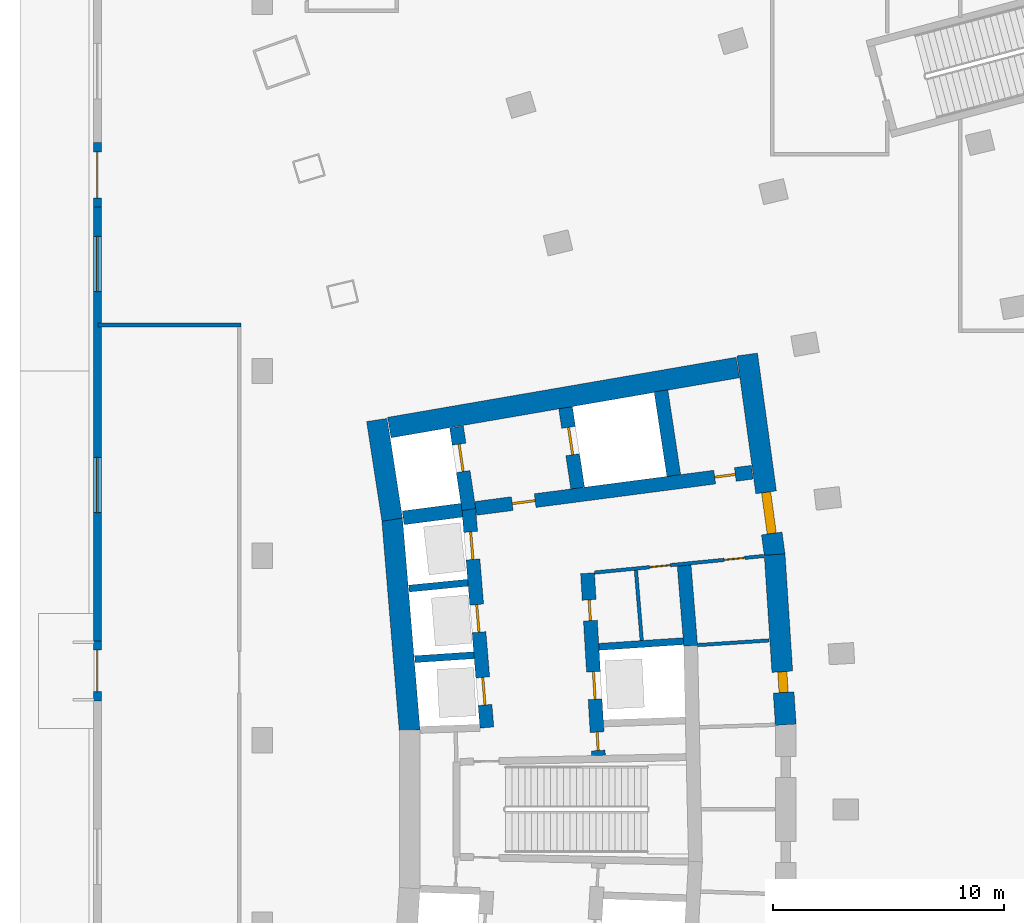
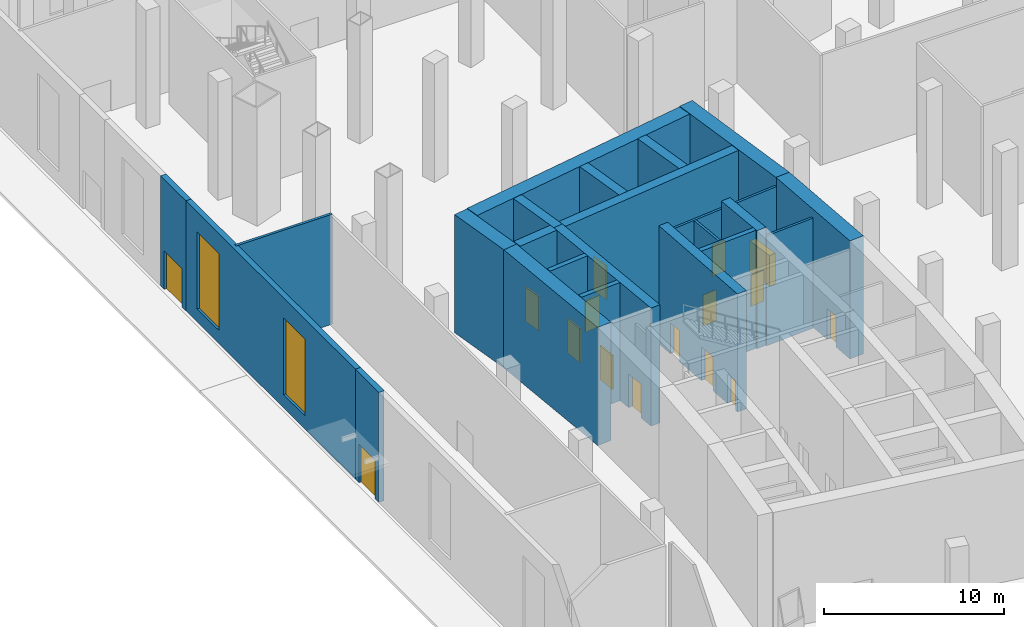
# One storey, part 17 of 33: 23 walls, 16 doors, 2 windows, 18 openings.
"""IFC4 building model written with IfcOpenShell, lengths in metres."""

from ifc_helpers import new_model, si_unit, direction, frame, frame_2d, origin, place, context, subcontext, project, spatial, rectangle, extrude, material, layer, layer_set, type_object, element, fill, save


model = new_model("IFC4")

# Units and contexts
model_context = context("Model", 3, precision=1e-05, world=origin(), true_north=direction((0.0, 1.0)))
body_context = subcontext(model_context, "Body", "Model", "MODEL_VIEW")
ifc_project = project(units=[si_unit("LENGTHUNIT", "METRE"), si_unit("AREAUNIT", "SQUARE_METRE"), si_unit("VOLUMEUNIT", "CUBIC_METRE"), si_unit("PLANEANGLEUNIT", "RADIAN"), si_unit("MASSUNIT", "GRAM", prefix="KILO")], contexts=[model_context])

# Site, building, storey
site_placement = place(None, origin())
site = spatial("IfcSite", under=ifc_project, at=site_placement, CompositionType="ELEMENT")
building_placement = place(site_placement, origin())
building = spatial("IfcBuilding", under=site, at=building_placement, Name="Alderwake Tower", CompositionType="ELEMENT")
storey_placement = place(building_placement, origin())
storey = spatial("IfcBuildingStorey", under=building, at=storey_placement, Name="L00", CompositionType="ELEMENT", Elevation=0.0)

# Walls
ifc_material_1 = material(Name="Gypsum shaft wall system, rated")
ifc_layer_1 = layer(ifc_material_1, 0.14990234375)
ifc_layer_set_1 = layer_set([ifc_layer_1], Name="Core room partition 150")
wall_type_1 = type_object("IfcWallType", Name="Core room partition 150", PredefinedType="PARTITIONING", material=ifc_layer_set_1)
wall_1_placement = place(storey_placement, frame((26.94970703125, 68.3203125, 0.0), z_axis=(0.0, 0.0, 1.0), x_axis=(-0.082463525817, 0.996594083321, 0.0)))
element("IfcWall", 1, at=wall_1_placement, inside=storey, type_object=wall_type_1, Name="CW/L00/PA+107_+70", PredefinedType="PARTITIONING", context=body_context, shape_type="SweptSolid", body=[
    extrude(rectangle(XDim=3.055419921875, YDim=0.14990234375, at=frame_2d((1.52783203125, 0.0))), origin(), (0.0, 0.0, 1.0), 7.449951171875),
])
wall_2_placement = place(storey_placement, frame((29.36865234375, 68.1220703125, 0.0), z_axis=(0.0, 0.0, 1.0), x_axis=(0.997885090452, 0.065002663433, 0.0)))
element("IfcWall", 2, at=wall_2_placement, inside=storey, type_object=wall_type_1, Name="CW/L00/PR+68_+128", PredefinedType="PARTITIONING", context=body_context, shape_type="SweptSolid", body=[
    extrude(rectangle(XDim=3.10986328125, YDim=0.14990234375, at=frame_2d((1.554931640625, 0.0))), origin(), (0.0, 0.0, 1.0), 7.449951171875),
])

# Wall, openings, doors
wall_3_placement = place(storey_placement, frame((32.233642578125, 71.982177734375, 0.0), z_axis=(0.0, 0.0, 1.0), x_axis=(-0.995245540971, -0.097397706226, 0.0)))
wall_3 = element("IfcWall", 3, at=wall_3_placement, inside=storey, type_object=wall_type_1, Name="CW/L00/PR+102_+86", PredefinedType="PARTITIONING", context=body_context, shape_type="SweptSolid", body=[
    extrude(rectangle(XDim=7.36962890625, YDim=0.14990234375, at=frame_2d((3.684814453125, 0.0))), origin(), (0.0, 0.0, 1.0), 7.449951171875),
])
opening_1_placement = place(wall_3_placement, frame((4.069580078125, 0.0, 0.0)))
opening_1 = element("IfcOpeningElement", 4, at=opening_1_placement, cuts=wall_3, Name="Opening C022", PredefinedType="OPENING", context=body_context, shape_type="SweptSolid", body=[
    extrude(rectangle(XDim=0.89990234375, YDim=2.10009765625, at=frame_2d((0.449951171875, 1.050048828125))), frame((0.0, 0.0849609375, 0.0), z_axis=(0.0, -1.0, 0.0), x_axis=(1.0, 0.0, 0.0)), (0.0, 0.0, 1.0), 0.169921875),
])
opening_2_placement = place(wall_3_placement, frame((0.819580078125, 0.0, 0.0)))
opening_2 = element("IfcOpeningElement", 5, at=opening_2_placement, cuts=wall_3, Name="Opening C036", PredefinedType="OPENING", context=body_context, shape_type="SweptSolid", body=[
    extrude(rectangle(XDim=0.89990234375, YDim=2.10009765625, at=frame_2d((0.449951171875, 1.050048828125))), frame((0.0, 0.0849609375, 0.0), z_axis=(0.0, -1.0, 0.0), x_axis=(1.0, 0.0, 0.0)), (0.0, 0.0, 1.0), 0.169921875),
])
ifc_material_2 = material(Name="Painted steel leaf", Category="steel")
door_type_1 = type_object("IfcDoorType", Name="Core room door 900", OperationType="SINGLE_SWING_LEFT", PredefinedType="DOOR", material=ifc_material_2)
door_1_placement = place(opening_1_placement, origin())
door_1 = element("IfcDoor", 6, at=door_1_placement, inside=storey, type_object=door_type_1, Name="Room door", OperationType="SINGLE_SWING_RIGHT", OverallHeight=2.10009765625, OverallWidth=0.89990234375, PredefinedType="DOOR", context=body_context, shape_type="SweptSolid", body=[
    extrude(rectangle(XDim=0.89990234375, YDim=2.10009765625, at=frame_2d((0.449951171875, 1.050048828125))), frame((0.0, 0.02490234375, 0.0), z_axis=(0.0, -1.0, 0.0), x_axis=(1.0, 0.0, 0.0)), (0.0, 0.0, 1.0), 0.050048828125),
])
fill(opening_1, door_1)
door_2_placement = place(opening_2_placement, origin())
door_2 = element("IfcDoor", 7, at=door_2_placement, inside=storey, type_object=door_type_1, Name="Room door", OperationType="SINGLE_SWING_LEFT", OverallHeight=2.10009765625, OverallWidth=0.89990234375, PredefinedType="DOOR", context=body_context, shape_type="SweptSolid", body=[
    extrude(rectangle(XDim=0.89990234375, YDim=2.10009765625, at=frame_2d((0.449951171875, 1.050048828125))), frame((0.0, 0.02490234375, 0.0), z_axis=(0.0, -1.0, 0.0), x_axis=(1.0, 0.0, 0.0)), (0.0, 0.0, 1.0), 0.050048828125),
])
fill(opening_2, door_2)

# Walls
ifc_material_3 = material(Name="Concrete C70/85", Category="concrete")
ifc_layer_2 = layer(ifc_material_3, 0.89990234375)
ifc_layer_set_2 = layer_set([ifc_layer_2], Name="Core wall outer 900 C70-85")
wall_type_2 = type_object("IfcWallType", Name="Core wall outer 900 C70-85", PredefinedType="SHEAR", material=ifc_layer_set_2)
wall_4_placement = place(storey_placement, frame((16.890869140625, 64.41064453125, 0.0), z_axis=(0.0, 0.0, 1.0), x_axis=(-0.082624275373, 0.996580768989, 0.0)))
element("IfcWall", 8, at=wall_4_placement, inside=storey, type_object=wall_type_2, Name="Core wall CW.040", PredefinedType="SHEAR", context=body_context, shape_type="SweptSolid", body=[
    extrude(rectangle(XDim=9.210205078125, YDim=0.89990234375, at=frame_2d((4.60498046875, 0.0))), origin(), (0.0, 0.0, 1.0), 8.0),
])
wall_5_placement = place(storey_placement, frame((16.1337890625, 73.557373046875, 0.0), z_axis=(0.0, 0.0, 1.0), x_axis=(-0.151956504286, 0.988387181627, 0.0)))
element("IfcWall", 9, at=wall_5_placement, inside=storey, type_object=wall_type_2, Name="Core wall CW.039", PredefinedType="SHEAR", context=body_context, shape_type="SweptSolid", body=[
    extrude(rectangle(XDim=4.373291015625, YDim=0.89990234375, at=frame_2d((2.1865234375, 0.0))), origin(), (0.0, 0.0, 1.0), 8.0),
])

# Wall, opening, door
wall_6_placement = place(storey_placement, frame((32.710693359375, 72.04541015625, 0.0), z_axis=(0.0, 0.0, 1.0), x_axis=(0.064976219143, -0.997886812693, 0.0)))
wall_6 = element("IfcWall", 10, at=wall_6_placement, inside=storey, type_object=wall_type_2, Name="Core wall CW.010", PredefinedType="SHEAR", context=body_context, shape_type="SweptSolid", body=[
    extrude(rectangle(XDim=7.39453125, YDim=0.89990234375, at=frame_2d((3.697265625, 0.0))), origin(), (0.0, 0.0, 1.0), 8.0),
])
opening_3_placement = place(wall_6_placement, frame((5.089111328125, 0.0, 0.0)))
opening_3 = element("IfcOpeningElement", 11, at=opening_3_placement, cuts=wall_6, Name="Opening C035", PredefinedType="OPENING", context=body_context, shape_type="SweptSolid", body=[
    extrude(rectangle(XDim=0.89990234375, YDim=2.10009765625, at=frame_2d((0.449951171875, 1.050048828125))), frame((0.0, 0.4599609375, 0.0), z_axis=(0.0, -1.0, 0.0), x_axis=(1.0, 0.0, 0.0)), (0.0, 0.0, 1.0), 0.919921875),
])
door_3_placement = place(opening_3_placement, origin())
door_3 = element("IfcDoor", 12, at=door_3_placement, inside=storey, type_object=door_type_1, Name="Room door", OperationType="SINGLE_SWING_RIGHT", OverallHeight=2.10009765625, OverallWidth=0.89990234375, PredefinedType="DOOR", context=body_context, shape_type="SweptSolid", body=[
    extrude(rectangle(XDim=0.89990234375, YDim=2.10009765625, at=frame_2d((0.449951171875, 1.050048828125))), frame((0.0, 0.199951171875, 0.0), z_axis=(0.0, -1.0, 0.0), x_axis=(1.0, 0.0, 0.0)), (0.0, 0.0, 1.0), 0.39990234375),
])
fill(opening_3, door_3)

wall_7_placement = place(storey_placement, frame((31.520263671875, 80.7177734375, 0.0), z_axis=(0.0, 0.0, 1.0), x_axis=(0.135844728876, -0.990730139663, 0.0)))
wall_7 = element("IfcWall", 13, at=wall_7_placement, inside=storey, type_object=wall_type_2, Name="Core wall CW.009", PredefinedType="SHEAR", context=body_context, shape_type="SweptSolid", body=[
    extrude(rectangle(XDim=8.78662109375, YDim=0.89990234375, at=frame_2d((4.393310546875, 0.0))), origin(), (0.0, 0.0, 1.0), 8.0),
])
opening_4_placement = place(wall_7_placement, frame((6.02978515625, 0.0, 0.0)))
opening_4 = element("IfcOpeningElement", 14, at=opening_4_placement, cuts=wall_7, Name="Opening C001", PredefinedType="OPENING", context=body_context, shape_type="SweptSolid", body=[
    extrude(rectangle(XDim=1.800048828125, YDim=2.10009765625, at=frame_2d((0.89990234375, 1.050048828125))), frame((0.0, 0.4599609375, 0.0), z_axis=(0.0, -1.0, 0.0), x_axis=(1.0, 0.0, 0.0)), (0.0, 0.0, 1.0), 0.919921875),
])
ifc_material_4 = material(Name="Steel-framed fire door leaves", Category="steel")
door_type_2 = type_object("IfcDoorType", Name="Core double door 1800 fire-rated", OperationType="DOUBLE_DOOR_SINGLE_SWING", PredefinedType="DOOR", material=ifc_material_4)
door_4_placement = place(opening_4_placement, origin())
door_4 = element("IfcDoor", 15, at=door_4_placement, inside=storey, type_object=door_type_2, Name="Lobby double door", OperationType="DOUBLE_DOOR_SINGLE_SWING", OverallHeight=2.10009765625, OverallWidth=1.800048828125, PredefinedType="DOOR", context=body_context, shape_type="SweptSolid", body=[
    extrude(rectangle(XDim=1.800048828125, YDim=2.10009765625, at=frame_2d((0.89990234375, 1.050048828125))), frame((0.0, 0.199951171875, 0.0), z_axis=(0.0, -1.0, 0.0), x_axis=(1.0, 0.0, 0.0)), (0.0, 0.0, 1.0), 0.39990234375),
])
fill(opening_4, door_4)

# Walls
wall_8_placement = place(storey_placement, frame((16.005615234375, 77.548828125, 0.0), z_axis=(0.0, 0.0, 1.0), x_axis=(0.985465815888, 0.169873852363, 0.0)))
element("IfcWall", 16, at=wall_8_placement, inside=storey, type_object=wall_type_2, Name="Core wall CW.053", PredefinedType="SHEAR", context=body_context, shape_type="SweptSolid", body=[
    extrude(rectangle(XDim=15.33056640625, YDim=0.89990234375, at=frame_2d((7.665283203125, 0.0))), origin(), (0.0, 0.0, 1.0), 8.0),
])
ifc_material_5 = material(Name="Concrete C70/85", Category="concrete")
ifc_layer_3 = layer(ifc_material_5, 0.300048828125)
ifc_layer_set_3 = layer_set([ifc_layer_3], Name="Core wall shaft 300 C70-85")
wall_type_3 = type_object("IfcWallType", Name="Core wall shaft 300 C70-85", PredefinedType="SHEAR", material=ifc_layer_set_3)
wall_9_placement = place(storey_placement, frame((17.115478515625, 67.510498046875, 0.0), z_axis=(0.0, 0.0, 1.0), x_axis=(0.99775517309, 0.06696726493, 0.0)))
element("IfcWall", 17, at=wall_9_placement, inside=storey, type_object=wall_type_3, Name="Core wall CW.062", PredefinedType="SHEAR", context=body_context, shape_type="SweptSolid", body=[
    extrude(rectangle(XDim=2.566650390625, YDim=0.300048828125, at=frame_2d((1.283203125, 0.0))), origin(), (0.0, 0.0, 1.0), 8.0),
])
wall_10_placement = place(storey_placement, frame((25.09228515625, 68.04541015625, 0.0), z_axis=(0.0, 0.0, 1.0), x_axis=(0.997760946222, 0.066881194621, 0.0)))
element("IfcWall", 18, at=wall_10_placement, inside=storey, type_object=wall_type_3, Name="Core wall CW.063", PredefinedType="SHEAR", context=body_context, shape_type="SweptSolid", body=[
    extrude(rectangle(XDim=3.668701171875, YDim=0.300048828125, at=frame_2d((1.83447265625, 0.0))), origin(), (0.0, 0.0, 1.0), 8.0),
])
wall_11_placement = place(storey_placement, frame((16.86181640625, 70.571533203125, 0.0), z_axis=(0.0, 0.0, 1.0), x_axis=(0.995151424955, 0.098354671516, 0.0)))
element("IfcWall", 19, at=wall_11_placement, inside=storey, type_object=wall_type_3, Name="Core wall CW.050", PredefinedType="SHEAR", context=body_context, shape_type="SweptSolid", body=[
    extrude(rectangle(XDim=2.566650390625, YDim=0.300048828125, at=frame_2d((1.283203125, 0.0))), origin(), (0.0, 0.0, 1.0), 8.0),
])

# Wall, openings, doors
ifc_material_6 = material(Name="Concrete C70/85", Category="concrete")
ifc_layer_4 = layer(ifc_material_6, 0.60009765625)
ifc_layer_set_4 = layer_set([ifc_layer_4], Name="Core wall spine 600 C70-85")
wall_type_4 = type_object("IfcWallType", Name="Core wall spine 600 C70-85", PredefinedType="SHEAR", material=ifc_layer_set_4)
wall_12_placement = place(storey_placement, frame((20.2373046875, 64.548095703125, 0.0), z_axis=(0.0, 0.0, 1.0), x_axis=(-0.082626598613, 0.996580576372, 0.0)))
wall_12 = element("IfcWall", 20, at=wall_12_placement, inside=storey, type_object=wall_type_4, Name="Core wall CW.031", PredefinedType="SHEAR", context=body_context, shape_type="SweptSolid", body=[
    extrude(rectangle(XDim=9.50244140625, YDim=0.60009765625, at=frame_2d((4.751220703125, 0.0))), origin(), (0.0, 0.0, 1.0), 8.0),
])
opening_5_placement = place(wall_12_placement, frame((0.9814453125, 0.0, 0.0)))
opening_5 = element("IfcOpeningElement", 21, at=opening_5_placement, cuts=wall_12, Name="Opening LD-SH1", PredefinedType="OPENING", context=body_context, shape_type="SweptSolid", body=[
    extrude(rectangle(XDim=1.199951171875, YDim=2.300048828125, at=frame_2d((0.60009765625, 1.14990234375))), frame((0.0, 0.31005859375, 0.0), z_axis=(0.0, -1.0, 0.0), x_axis=(1.0, 0.0, 0.0)), (0.0, 0.0, 1.0), 0.6201171875),
])
opening_6_placement = place(wall_12_placement, frame((4.14599609375, 0.0, 0.0)))
opening_6 = element("IfcOpeningElement", 22, at=opening_6_placement, cuts=wall_12, Name="Opening LD-SH2", PredefinedType="OPENING", context=body_context, shape_type="SweptSolid", body=[
    extrude(rectangle(XDim=1.199951171875, YDim=2.300048828125, at=frame_2d((0.60009765625, 1.14990234375))), frame((0.0, 0.31005859375, 0.0), z_axis=(0.0, -1.0, 0.0), x_axis=(1.0, 0.0, 0.0)), (0.0, 0.0, 1.0), 0.6201171875),
])
opening_7_placement = place(wall_12_placement, frame((7.310791015625, 0.0, 0.0)))
opening_7 = element("IfcOpeningElement", 23, at=opening_7_placement, cuts=wall_12, Name="Opening LD-SH3", PredefinedType="OPENING", context=body_context, shape_type="SweptSolid", body=[
    extrude(rectangle(XDim=1.199951171875, YDim=2.300048828125, at=frame_2d((0.60009765625, 1.14990234375))), frame((0.0, 0.31005859375, 0.0), z_axis=(0.0, -1.0, 0.0), x_axis=(1.0, 0.0, 0.0)), (0.0, 0.0, 1.0), 0.6201171875),
])
ifc_material_7 = material(Name="Stainless steel sliding leaf", Category="steel")
door_type_3 = type_object("IfcDoorType", Name="Lift landing door 1200", OperationType="SLIDING_TO_LEFT", PredefinedType="DOOR", material=ifc_material_7)
door_5_placement = place(opening_5_placement, origin())
door_5 = element("IfcDoor", 24, at=door_5_placement, inside=storey, type_object=door_type_3, Name="Lift landing door SH1", OperationType="SLIDING_TO_LEFT", OverallHeight=2.300048828125, OverallWidth=1.199951171875, PredefinedType="DOOR", context=body_context, shape_type="SweptSolid", body=[
    extrude(rectangle(XDim=1.199951171875, YDim=2.300048828125, at=frame_2d((0.60009765625, 1.14990234375))), frame((0.0, 0.050048828125, 0.0), z_axis=(0.0, -1.0, 0.0), x_axis=(1.0, 0.0, 0.0)), (0.0, 0.0, 1.0), 0.10009765625),
])
fill(opening_5, door_5)
door_6_placement = place(opening_6_placement, origin())
door_6 = element("IfcDoor", 25, at=door_6_placement, inside=storey, type_object=door_type_3, Name="Lift landing door SH2", OperationType="SLIDING_TO_LEFT", OverallHeight=2.300048828125, OverallWidth=1.199951171875, PredefinedType="DOOR", context=body_context, shape_type="SweptSolid", body=[
    extrude(rectangle(XDim=1.199951171875, YDim=2.300048828125, at=frame_2d((0.60009765625, 1.14990234375))), frame((0.0, 0.050048828125, 0.0), z_axis=(0.0, -1.0, 0.0), x_axis=(1.0, 0.0, 0.0)), (0.0, 0.0, 1.0), 0.10009765625),
])
fill(opening_6, door_6)
door_7_placement = place(opening_7_placement, origin())
door_7 = element("IfcDoor", 26, at=door_7_placement, inside=storey, type_object=door_type_3, Name="Lift landing door SH3", OperationType="SLIDING_TO_LEFT", OverallHeight=2.300048828125, OverallWidth=1.199951171875, PredefinedType="DOOR", context=body_context, shape_type="SweptSolid", body=[
    extrude(rectangle(XDim=1.199951171875, YDim=2.300048828125, at=frame_2d((0.60009765625, 1.14990234375))), frame((0.0, 0.050048828125, 0.0), z_axis=(0.0, -1.0, 0.0), x_axis=(1.0, 0.0, 0.0)), (0.0, 0.0, 1.0), 0.10009765625),
])
fill(opening_7, door_7)

# Wall, opening, door
wall_13_placement = place(storey_placement, frame((19.45458984375, 73.99755859375, 0.0), z_axis=(0.0, 0.0, 1.0), x_axis=(-0.147502312715, 0.989061710786, 0.0)))
wall_13 = element("IfcWall", 27, at=wall_13_placement, inside=storey, type_object=wall_type_4, Name="Core wall CW.030", PredefinedType="SHEAR", context=body_context, shape_type="SweptSolid", body=[
    extrude(rectangle(XDim=3.6181640625, YDim=0.60009765625, at=frame_2d((1.80908203125, 0.0))), origin(), (0.0, 0.0, 1.0), 8.0),
])
opening_8_placement = place(wall_13_placement, frame((1.664306640625, 0.0, 0.0)))
opening_8 = element("IfcOpeningElement", 28, at=opening_8_placement, cuts=wall_13, Name="Opening LD-FF1", PredefinedType="OPENING", context=body_context, shape_type="SweptSolid", body=[
    extrude(rectangle(XDim=1.199951171875, YDim=2.300048828125, at=frame_2d((0.60009765625, 1.14990234375))), frame((0.0, 0.31005859375, 0.0), z_axis=(0.0, -1.0, 0.0), x_axis=(1.0, 0.0, 0.0)), (0.0, 0.0, 1.0), 0.6201171875),
])
door_8_placement = place(opening_8_placement, origin())
door_8 = element("IfcDoor", 29, at=door_8_placement, inside=storey, type_object=door_type_3, Name="Lift landing door FF1", OperationType="SLIDING_TO_LEFT", OverallHeight=2.300048828125, OverallWidth=1.199951171875, PredefinedType="DOOR", context=body_context, shape_type="SweptSolid", body=[
    extrude(rectangle(XDim=1.199951171875, YDim=2.300048828125, at=frame_2d((0.60009765625, 1.14990234375))), frame((0.0, 0.050048828125, 0.0), z_axis=(0.0, -1.0, 0.0), x_axis=(1.0, 0.0, 0.0)), (0.0, 0.0, 1.0), 0.10009765625),
])
fill(opening_8, door_8)

# Wall, openings, doors
wall_14_placement = place(storey_placement, frame((25.073974609375, 63.335693359375, 0.0), z_axis=(0.0, 0.0, 1.0), x_axis=(-0.059848641072, 0.998207463487, 0.0)))
wall_14 = element("IfcWall", 30, at=wall_14_placement, inside=storey, type_object=wall_type_4, Name="Core wall CW.045", PredefinedType="SHEAR", context=body_context, shape_type="SweptSolid", body=[
    extrude(rectangle(XDim=7.913818359375, YDim=0.60009765625, at=frame_2d((3.95703125, 0.0))), origin(), (0.0, 0.0, 1.0), 8.0),
])
opening_9_placement = place(wall_14_placement, frame((2.440185546875, 0.0, 0.0)))
opening_9 = element("IfcOpeningElement", 31, at=opening_9_placement, cuts=wall_14, Name="Opening LD-SH4", PredefinedType="OPENING", context=body_context, shape_type="SweptSolid", body=[
    extrude(rectangle(XDim=1.199951171875, YDim=2.300048828125, at=frame_2d((0.60009765625, 1.14990234375))), frame((0.0, 0.31005859375, 0.0), z_axis=(0.0, -1.0, 0.0), x_axis=(1.0, 0.0, 0.0)), (0.0, 0.0, 1.0), 0.6201171875),
])
opening_10_placement = place(wall_14_placement, frame((0.216064453125, 0.0, 0.0)))
opening_10 = element("IfcOpeningElement", 32, at=opening_10_placement, cuts=wall_14, Name="Opening C005", PredefinedType="OPENING", context=body_context, shape_type="SweptSolid", body=[
    extrude(rectangle(XDim=0.800048828125, YDim=2.0, at=frame_2d((0.39990234375, 1.0))), frame((0.0, 0.31005859375, 0.0), z_axis=(0.0, -1.0, 0.0), x_axis=(1.0, 0.0, 0.0)), (0.0, 0.0, 1.0), 0.6201171875),
])
opening_11_placement = place(wall_14_placement, frame((5.856201171875, 0.0, 0.0)))
opening_11 = element("IfcOpeningElement", 33, at=opening_11_placement, cuts=wall_14, Name="Opening C024", PredefinedType="OPENING", context=body_context, shape_type="SweptSolid", body=[
    extrude(rectangle(XDim=0.89990234375, YDim=2.10009765625, at=frame_2d((0.449951171875, 1.050048828125))), frame((0.0, 0.31005859375, 0.0), z_axis=(0.0, -1.0, 0.0), x_axis=(1.0, 0.0, 0.0)), (0.0, 0.0, 1.0), 0.6201171875),
])
door_9_placement = place(opening_11_placement, origin())
door_9 = element("IfcDoor", 34, at=door_9_placement, inside=storey, type_object=door_type_1, Name="Room door", OperationType="SINGLE_SWING_LEFT", OverallHeight=2.10009765625, OverallWidth=0.89990234375, PredefinedType="DOOR", context=body_context, shape_type="SweptSolid", body=[
    extrude(rectangle(XDim=0.89990234375, YDim=2.10009765625, at=frame_2d((0.449951171875, 1.050048828125))), frame((0.0, 0.050048828125, 0.0), z_axis=(0.0, -1.0, 0.0), x_axis=(1.0, 0.0, 0.0)), (0.0, 0.0, 1.0), 0.10009765625),
])
fill(opening_11, door_9)
door_10_placement = place(opening_9_placement, origin())
door_10 = element("IfcDoor", 35, at=door_10_placement, inside=storey, type_object=door_type_3, Name="Lift landing door SH4", OperationType="SLIDING_TO_LEFT", OverallHeight=2.300048828125, OverallWidth=1.199951171875, PredefinedType="DOOR", context=body_context, shape_type="SweptSolid", body=[
    extrude(rectangle(XDim=1.199951171875, YDim=2.300048828125, at=frame_2d((0.60009765625, 1.14990234375))), frame((0.0, 0.050048828125, 0.0), z_axis=(0.0, -1.0, 0.0), x_axis=(1.0, 0.0, 0.0)), (0.0, 0.0, 1.0), 0.10009765625),
])
fill(opening_9, door_10)
ifc_material_8 = material(Name="Painted steel leaf, rated", Category="steel")
door_type_4 = type_object("IfcDoorType", Name="Riser access door 800", OperationType="SINGLE_SWING_LEFT", PredefinedType="DOOR", material=ifc_material_8)
door_11_placement = place(opening_10_placement, origin())
door_11 = element("IfcDoor", 36, at=door_11_placement, inside=storey, type_object=door_type_4, Name="Riser access door", OperationType="SINGLE_SWING_LEFT", OverallHeight=2.0, OverallWidth=0.800048828125, PredefinedType="DOOR", context=body_context, shape_type="SweptSolid", body=[
    extrude(rectangle(XDim=0.800048828125, YDim=2.0, at=frame_2d((0.39990234375, 1.0))), frame((0.0, 0.050048828125, 0.0), z_axis=(0.0, -1.0, 0.0), x_axis=(1.0, 0.0, 0.0)), (0.0, 0.0, 1.0), 0.10009765625),
])
fill(opening_10, door_11)

# Wall, opening, door
wall_15_placement = place(storey_placement, frame((24.173095703125, 74.927734375, 0.0), z_axis=(0.0, 0.0, 1.0), x_axis=(-0.14910953086, 0.988820685365, 0.0)))
wall_15 = element("IfcWall", 37, at=wall_15_placement, inside=storey, type_object=wall_type_4, Name="Core wall CW.044", PredefinedType="SHEAR", context=body_context, shape_type="SweptSolid", body=[
    extrude(rectangle(XDim=3.5234375, YDim=0.60009765625, at=frame_2d((1.76171875, 0.0))), origin(), (0.0, 0.0, 1.0), 8.0),
])
opening_12_placement = place(wall_15_placement, frame((1.4619140625, 0.0, 0.0)))
opening_12 = element("IfcOpeningElement", 38, at=opening_12_placement, cuts=wall_15, Name="Opening LD-FF2", PredefinedType="OPENING", context=body_context, shape_type="SweptSolid", body=[
    extrude(rectangle(XDim=1.199951171875, YDim=2.300048828125, at=frame_2d((0.60009765625, 1.14990234375))), frame((0.0, 0.31005859375, 0.0), z_axis=(0.0, -1.0, 0.0), x_axis=(1.0, 0.0, 0.0)), (0.0, 0.0, 1.0), 0.6201171875),
])
door_12_placement = place(opening_12_placement, origin())
door_12 = element("IfcDoor", 39, at=door_12_placement, inside=storey, type_object=door_type_3, Name="Lift landing door FF2", OperationType="SLIDING_TO_LEFT", OverallHeight=2.300048828125, OverallWidth=1.199951171875, PredefinedType="DOOR", context=body_context, shape_type="SweptSolid", body=[
    extrude(rectangle(XDim=1.199951171875, YDim=2.300048828125, at=frame_2d((0.60009765625, 1.14990234375))), frame((0.0, 0.050048828125, 0.0), z_axis=(0.0, -1.0, 0.0), x_axis=(1.0, 0.0, 0.0)), (0.0, 0.0, 1.0), 0.10009765625),
])
fill(opening_12, door_12)

# Walls
wall_16_placement = place(storey_placement, frame((29.069580078125, 68.09326171875, 0.0), z_axis=(0.0, 0.0, 1.0), x_axis=(-0.080849700234, 0.996726304445, 0.0)))
element("IfcWall", 40, at=wall_16_placement, inside=storey, type_object=wall_type_4, Name="Core wall CW.003", PredefinedType="SHEAR", context=body_context, shape_type="SweptSolid", body=[
    extrude(rectangle(XDim=3.48779296875, YDim=0.60009765625, at=frame_2d((1.743896484375, 0.0))), origin(), (0.0, 0.0, 1.0), 8.0),
])
wall_17_placement = place(storey_placement, frame((28.337646484375, 75.472412109375, 0.0), z_axis=(0.0, 0.0, 1.0), x_axis=(-0.149224787751, 0.988803298296, 0.0)))
element("IfcWall", 41, at=wall_17_placement, inside=storey, type_object=wall_type_4, Name="Core wall CW.001", PredefinedType="SHEAR", context=body_context, shape_type="SweptSolid", body=[
    extrude(rectangle(XDim=3.712158203125, YDim=0.60009765625, at=frame_2d((1.85595703125, 0.0))), origin(), (0.0, 0.0, 1.0), 8.0),
])
wall_18_placement = place(storey_placement, frame((16.607666015625, 73.635498046875, 0.0), z_axis=(0.0, 0.0, 1.0), x_axis=(0.991551057449, 0.129717001478, 0.0)))
element("IfcWall", 42, at=wall_18_placement, inside=storey, type_object=wall_type_4, Name="Core wall CW.051", PredefinedType="SHEAR", context=body_context, shape_type="SweptSolid", body=[
    extrude(rectangle(XDim=2.569091796875, YDim=0.60009765625, at=frame_2d((1.28466796875, 0.0))), origin(), (0.0, 0.0, 1.0), 8.0),
])

# Wall, openings, doors
wall_19_placement = place(storey_placement, frame((31.735595703125, 75.6142578125, 0.0), z_axis=(0.0, 0.0, 1.0), x_axis=(-0.991553829991, -0.129695806526, 0.0)))
wall_19 = element("IfcWall", 43, at=wall_19_placement, inside=storey, type_object=wall_type_4, Name="Core wall CW.052", PredefinedType="SHEAR", context=body_context, shape_type="SweptSolid", body=[
    extrude(rectangle(XDim=12.0869140625, YDim=0.60009765625, at=frame_2d((6.04345703125, 0.0))), origin(), (0.0, 0.0, 1.0), 8.0),
])
opening_13_placement = place(wall_19_placement, frame((9.4873046875, 0.0, 0.0)))
opening_13 = element("IfcOpeningElement", 44, at=opening_13_placement, cuts=wall_19, Name="Opening C002", PredefinedType="OPENING", context=body_context, shape_type="SweptSolid", body=[
    extrude(rectangle(XDim=1.0, YDim=2.10009765625, at=frame_2d((0.5, 1.050048828125))), frame((0.0, 0.31005859375, 0.0), z_axis=(0.0, -1.0, 0.0), x_axis=(1.0, 0.0, 0.0)), (0.0, 0.0, 1.0), 0.6201171875),
])
opening_14_placement = place(wall_19_placement, frame((0.7373046875, 0.0, 0.0)))
opening_14 = element("IfcOpeningElement", 45, at=opening_14_placement, cuts=wall_19, Name="Opening C020", PredefinedType="OPENING", context=body_context, shape_type="SweptSolid", body=[
    extrude(rectangle(XDim=0.89990234375, YDim=2.10009765625, at=frame_2d((0.449951171875, 1.050048828125))), frame((0.0, 0.31005859375, 0.0), z_axis=(0.0, -1.0, 0.0), x_axis=(1.0, 0.0, 0.0)), (0.0, 0.0, 1.0), 0.6201171875),
])
door_13_placement = place(opening_14_placement, origin())
door_13 = element("IfcDoor", 46, at=door_13_placement, inside=storey, type_object=door_type_1, Name="Room door", OperationType="SINGLE_SWING_LEFT", OverallHeight=2.10009765625, OverallWidth=0.89990234375, PredefinedType="DOOR", context=body_context, shape_type="SweptSolid", body=[
    extrude(rectangle(XDim=0.89990234375, YDim=2.10009765625, at=frame_2d((0.449951171875, 1.050048828125))), frame((0.0, 0.050048828125, 0.0), z_axis=(0.0, -1.0, 0.0), x_axis=(1.0, 0.0, 0.0)), (0.0, 0.0, 1.0), 0.10009765625),
])
fill(opening_14, door_13)
ifc_material_9 = material(Name="Steel-framed fire door leaf", Category="steel")
door_type_5 = type_object("IfcDoorType", Name="Firefighting lobby door 1000 fire-rated", OperationType="SINGLE_SWING_LEFT", PredefinedType="DOOR", material=ifc_material_9)
door_14_placement = place(opening_13_placement, origin())
door_14 = element("IfcDoor", 47, at=door_14_placement, inside=storey, type_object=door_type_5, Name="Firefighting lobby door", OperationType="SINGLE_SWING_RIGHT", OverallHeight=2.10009765625, OverallWidth=1.0, PredefinedType="DOOR", context=body_context, shape_type="SweptSolid", body=[
    extrude(rectangle(XDim=1.0, YDim=2.10009765625, at=frame_2d((0.5, 1.050048828125))), frame((0.0, 0.050048828125, 0.0), z_axis=(0.0, -1.0, 0.0), x_axis=(1.0, 0.0, 0.0)), (0.0, 0.0, 1.0), 0.10009765625),
])
fill(opening_13, door_14)

# Wall
ifc_material_10 = material(Name="Gypsum board on metal studs, rated")
ifc_layer_5 = layer(ifc_material_10, 0.159912109375)
ifc_layer_set_5 = layer_set([ifc_layer_5], Name="Corridor wall 160")
wall_type_5 = type_object("IfcWallType", Name="Corridor wall 160", PredefinedType="PARTITIONING", material=ifc_layer_set_5)
wall_20_placement = place(storey_placement, frame((3.3798828125, 81.9990234375, 0.0), z_axis=(0.0, 0.0, 1.0), x_axis=(1.0, 0.0, 0.0)))
element("IfcWall", 48, at=wall_20_placement, inside=storey, type_object=wall_type_5, Name="WL/L00/W63", PredefinedType="PARTITIONING", context=body_context, shape_type="SweptSolid", body=[
    extrude(rectangle(XDim=6.201171875, YDim=0.159912109375, at=frame_2d((3.1005859375, 0.0))), origin(), (0.0, 0.0, 1.0), 7.449951171875),
])

# Wall, opening, door
ifc_material_11 = material(Name="Precast concrete C50/60 spandrel panel", Category="concrete")
ifc_layer_6 = layer(ifc_material_11, 0.35009765625)
ifc_layer_set_6 = layer_set([ifc_layer_6], Name="External wall EW4 Precast concrete C50/60 podium")
wall_type_6 = type_object("IfcWallType", Name="External wall EW4 Precast concrete C50/60 podium", PredefinedType="SOLIDWALL", material=ifc_layer_set_6)
wall_21_placement = place(storey_placement, frame((3.35009765625, 89.89990234375, 0.0), z_axis=(0.0, 0.0, 1.0), x_axis=(0.0, -1.0, 0.0)))
wall_21 = element("IfcWall", 49, at=wall_21_placement, inside=storey, type_object=wall_type_6, Name="External wall 25", PredefinedType="SOLIDWALL", context=body_context, shape_type="SweptSolid", body=[
    extrude(rectangle(XDim=2.7998046875, YDim=0.35009765625, at=frame_2d((1.39990234375, 0.0))), origin(), (0.0, 0.0, 1.0), 7.449951171875),
])
opening_15_placement = place(wall_21_placement, frame((0.39990234375, 0.0, 0.0)))
opening_15 = element("IfcOpeningElement", 50, at=opening_15_placement, cuts=wall_21, Name="Opening D15", PredefinedType="OPENING", context=body_context, shape_type="SweptSolid", body=[
    extrude(rectangle(XDim=2.0, YDim=2.60009765625, at=frame_2d((1.0, 1.300048828125))), frame((0.0, 0.18505859375, 0.0), z_axis=(0.0, -1.0, 0.0), x_axis=(1.0, 0.0, 0.0)), (0.0, 0.0, 1.0), 0.3701171875),
])
ifc_material_12 = material(Name="Bronze tinted glass in aluminium frame", Category="aluminium")
door_type_6 = type_object("IfcDoorType", Name="Entrance door ED double 2000", OperationType="DOUBLE_DOOR_DOUBLE_SWING", PredefinedType="DOOR", material=ifc_material_12)
door_15_placement = place(opening_15_placement, origin())
door_15 = element("IfcDoor", 51, at=door_15_placement, inside=storey, type_object=door_type_6, Name="Door D15", OperationType="DOUBLE_DOOR_DOUBLE_SWING", OverallHeight=2.60009765625, OverallWidth=2.0, PredefinedType="DOOR", context=body_context, shape_type="SweptSolid", body=[
    extrude(rectangle(XDim=2.0, YDim=2.60009765625, at=frame_2d((1.0, 1.300048828125))), frame((0.0, 0.02490234375, 0.0), z_axis=(0.0, -1.0, 0.0), x_axis=(1.0, 0.0, 0.0)), (0.0, 0.0, 1.0), 0.050048828125),
])
fill(opening_15, door_15)

# Wall, openings, windows
wall_22_placement = place(storey_placement, frame((3.35009765625, 87.10009765625, 0.0), z_axis=(0.0, 0.0, 1.0), x_axis=(0.0, -1.0, 0.0)))
wall_22 = element("IfcWall", 52, at=wall_22_placement, inside=storey, type_object=wall_type_6, Name="External wall 26", PredefinedType="SOLIDWALL", context=body_context, shape_type="SweptSolid", body=[
    extrude(rectangle(XDim=18.800048828125, YDim=0.35009765625, at=frame_2d((9.39990234375, 0.0))), origin(), (0.0, 0.0, 1.0), 7.449951171875),
])
opening_16_placement = place(wall_22_placement, frame((1.260498046875, 0.0, 0.89990234375)))
opening_16 = element("IfcOpeningElement", 53, at=opening_16_placement, cuts=wall_22, Name="Opening W7", PredefinedType="OPENING", context=body_context, shape_type="SweptSolid", body=[
    extrude(rectangle(XDim=2.39990234375, YDim=5.199951171875, at=frame_2d((1.199951171875, 2.60009765625))), frame((0.0, 0.18505859375, 0.0), z_axis=(0.0, -1.0, 0.0), x_axis=(1.0, 0.0, 0.0)), (0.0, 0.0, 1.0), 0.3701171875),
])
opening_17_placement = place(wall_22_placement, frame((10.840576171875, 0.0, 0.89990234375)))
opening_17 = element("IfcOpeningElement", 54, at=opening_17_placement, cuts=wall_22, Name="Opening W7", PredefinedType="OPENING", context=body_context, shape_type="SweptSolid", body=[
    extrude(rectangle(XDim=2.39990234375, YDim=5.199951171875, at=frame_2d((1.199951171875, 2.60009765625))), frame((0.0, 0.18505859375, 0.0), z_axis=(0.0, -1.0, 0.0), x_axis=(1.0, 0.0, 0.0)), (0.0, 0.0, 1.0), 0.3701171875),
])
ifc_material_13 = material(Name="Bronze tinted glass in aluminium frame", Category="aluminium")
window_type = type_object("IfcWindowType", Name="Window W7 podium ground floor tall", PartitioningType="DOUBLE_PANEL_VERTICAL", PredefinedType="WINDOW", material=ifc_material_13)
window_1_placement = place(opening_16_placement, origin())
window_1 = element("IfcWindow", 55, at=window_1_placement, inside=storey, type_object=window_type, Name="Window W7 podium ground floor tall", OverallHeight=5.199951171875, OverallWidth=2.39990234375, PartitioningType="DOUBLE_PANEL_VERTICAL", PredefinedType="WINDOW", context=body_context, shape_type="SweptSolid", body=[
    extrude(rectangle(XDim=2.39990234375, YDim=5.199951171875, at=frame_2d((1.199951171875, 2.60009765625))), frame((0.0, 0.030029296875, 0.0), z_axis=(0.0, -1.0, 0.0), x_axis=(1.0, 0.0, 0.0)), (0.0, 0.0, 1.0), 0.06005859375),
])
fill(opening_16, window_1)
window_2_placement = place(opening_17_placement, origin())
window_2 = element("IfcWindow", 56, at=window_2_placement, inside=storey, type_object=window_type, Name="Window W7 podium ground floor tall", OverallHeight=5.199951171875, OverallWidth=2.39990234375, PartitioningType="DOUBLE_PANEL_VERTICAL", PredefinedType="WINDOW", context=body_context, shape_type="SweptSolid", body=[
    extrude(rectangle(XDim=2.39990234375, YDim=5.199951171875, at=frame_2d((1.199951171875, 2.60009765625))), frame((0.0, 0.030029296875, 0.0), z_axis=(0.0, -1.0, 0.0), x_axis=(1.0, 0.0, 0.0)), (0.0, 0.0, 1.0), 0.06005859375),
])
fill(opening_17, window_2)

# Wall, opening, door
wall_23_placement = place(storey_placement, frame((3.35009765625, 68.300048828125, 0.0), z_axis=(0.0, 0.0, 1.0), x_axis=(0.0, -1.0, 0.0)))
wall_23 = element("IfcWall", 57, at=wall_23_placement, inside=storey, type_object=wall_type_6, Name="External wall 27", PredefinedType="SOLIDWALL", context=body_context, shape_type="SweptSolid", body=[
    extrude(rectangle(XDim=2.60009765625, YDim=0.35009765625, at=frame_2d((1.300048828125, 0.0))), origin(), (0.0, 0.0, 1.0), 7.449951171875),
])
opening_18_placement = place(wall_23_placement, frame((0.39990234375, 0.0, 0.0)))
opening_18 = element("IfcOpeningElement", 58, at=opening_18_placement, cuts=wall_23, Name="Opening D16", PredefinedType="OPENING", context=body_context, shape_type="SweptSolid", body=[
    extrude(rectangle(XDim=1.800048828125, YDim=2.60009765625, at=frame_2d((0.89990234375, 1.300048828125))), frame((0.0, 0.18505859375, 0.0), z_axis=(0.0, -1.0, 0.0), x_axis=(1.0, 0.0, 0.0)), (0.0, 0.0, 1.0), 0.3701171875),
])
ifc_material_14 = material(Name="Bronze tinted glass in aluminium frame", Category="aluminium")
door_type_7 = type_object("IfcDoorType", Name="Shop entrance door SE 1800", OperationType="DOUBLE_DOOR_SINGLE_SWING", PredefinedType="DOOR", material=ifc_material_14)
door_16_placement = place(opening_18_placement, origin())
door_16 = element("IfcDoor", 59, at=door_16_placement, inside=storey, type_object=door_type_7, Name="Door D16", OperationType="DOUBLE_DOOR_SINGLE_SWING", OverallHeight=2.60009765625, OverallWidth=1.800048828125, PredefinedType="DOOR", context=body_context, shape_type="SweptSolid", body=[
    extrude(rectangle(XDim=1.800048828125, YDim=2.60009765625, at=frame_2d((0.89990234375, 1.300048828125))), frame((0.0, 0.02490234375, 0.0), z_axis=(0.0, -1.0, 0.0), x_axis=(1.0, 0.0, 0.0)), (0.0, 0.0, 1.0), 0.050048828125),
])
fill(opening_18, door_16)

save(model, "model.ifc")
